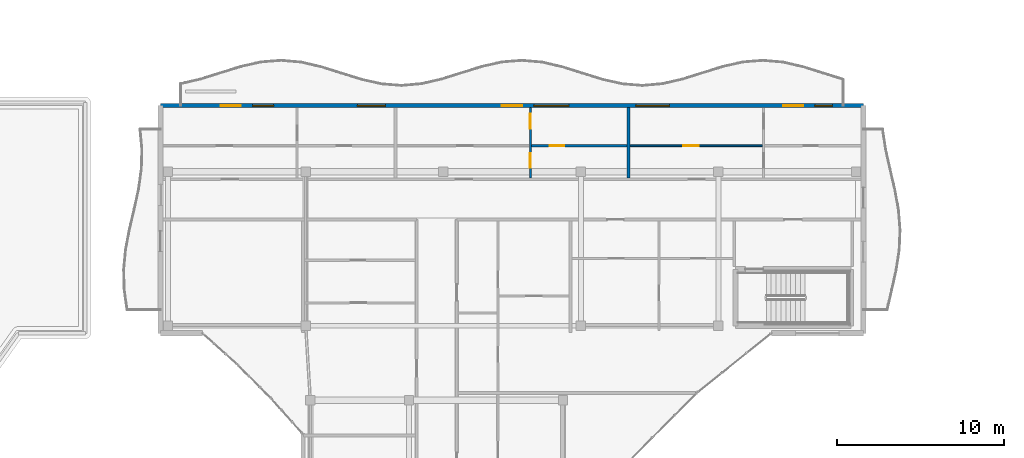
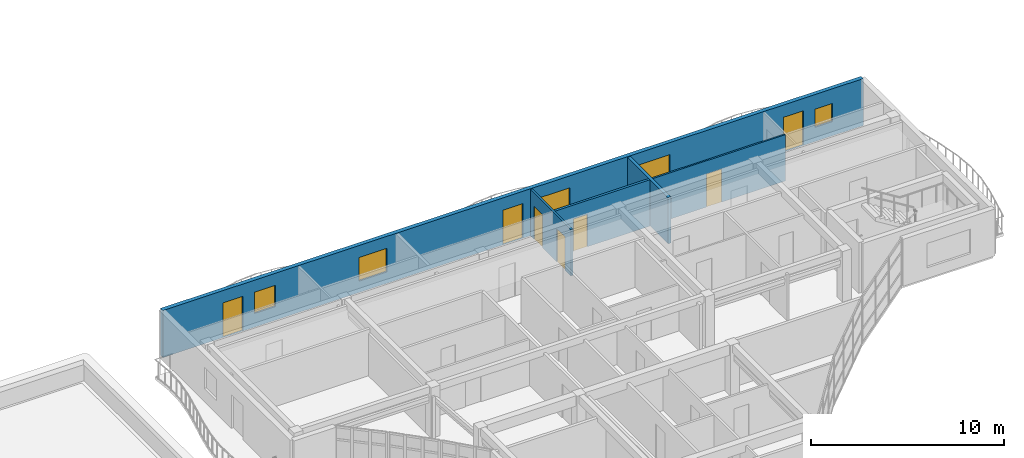
# One storey, part 29 of 54: 7 doors, 5 walls, 5 windows, 12 openings.
"""IFC4 building model written with IfcOpenShell, lengths in metres."""

from ifc_helpers import new_model, si_unit, direction, frame, frame_2d, origin, place, context, subcontext, project, spatial, rectangle, extrude, material, layer, layer_set, type_object, element, fill, save


model = new_model("IFC4")

# Units and contexts
model_context = context("Model", 3, precision=1e-05, world=origin(), true_north=direction((0.0, 1.0)))
body_context = subcontext(model_context, "Body", "Model", "MODEL_VIEW")
ifc_project = project(units=[si_unit("LENGTHUNIT", "METRE"), si_unit("AREAUNIT", "SQUARE_METRE"), si_unit("VOLUMEUNIT", "CUBIC_METRE"), si_unit("PLANEANGLEUNIT", "RADIAN"), si_unit("MASSUNIT", "GRAM", prefix="KILO")], contexts=[model_context])

# Site, building, storey
site_placement = place(None, origin())
site = spatial("IfcSite", under=ifc_project, at=site_placement, CompositionType="ELEMENT")
building_placement = place(site_placement, origin())
building = spatial("IfcBuilding", under=site, at=building_placement, Name="Keldmere Railside Commons", CompositionType="ELEMENT")
storey_placement = place(building_placement, frame((0.0, 0.0, 26.56005859375)))
storey = spatial("IfcBuildingStorey", under=building, at=storey_placement, Name="L08", CompositionType="ELEMENT", Elevation=26.56005859375)

# Wall
ifc_material_1 = material(Name="Acoustic Gypsum Board Partition", Category="gypsum")
ifc_layer_1 = layer(ifc_material_1, 0.179931640625, Name="Acoustic Demising Partition 180")
ifc_layer_set_1 = layer_set([ifc_layer_1], Name="Acoustic Gypsum Board Partition")
wall_type_1 = type_object("IfcWallType", Name="Acoustic Demising Partition 180", PredefinedType="PARTITIONING", material=ifc_layer_set_1)
wall_1_placement = place(storey_placement, frame((67.449951171875, 109.280029296875, 0.0), z_axis=(0.0, 0.0, 1.0), x_axis=(0.0, 1.0, 0.0)))
element("IfcWall", 1, at=wall_1_placement, inside=storey, type_object=wall_type_1, Name="IW-1 IW-L08-0838", PredefinedType="PARTITIONING", context=body_context, shape_type="SweptSolid", body=[
    extrude(rectangle(XDim=4.199951171875, YDim=0.179931640625, at=frame_2d((2.10009765625, 0.0))), origin(), (0.0, 0.0, 1.0), 2.93505859375),
])

# Wall, openings, doors
ifc_layer_2 = layer(ifc_material_1, 0.1201171875, Name="Apartment Interior Partition 120")
ifc_layer_set_2 = layer_set([ifc_layer_2], Name="Acoustic Gypsum Board Partition")
wall_type_2 = type_object("IfcWallType", Name="Apartment Interior Partition 120", PredefinedType="PARTITIONING", material=ifc_layer_set_2)
wall_2_placement = place(storey_placement, frame((61.60009765625, 109.280029296875, 0.0), z_axis=(0.0, 0.0, 1.0), x_axis=(0.0, 1.0, 0.0)))
wall_2 = element("IfcWall", 2, at=wall_2_placement, inside=storey, type_object=wall_type_2, Name="IW-4 IW-L08-0842", PredefinedType="PARTITIONING", context=body_context, shape_type="SweptSolid", body=[
    extrude(rectangle(XDim=4.199951171875, YDim=0.1201171875, at=frame_2d((2.10009765625, 0.0))), origin(), (0.0, 0.0, 1.0), 2.93505859375),
])
opening_1_placement = place(wall_2_placement, frame((0.61767578125, 0.0, 0.0)))
opening_1 = element("IfcOpeningElement", 3, at=opening_1_placement, cuts=wall_2, Name="Opening ID-04", PredefinedType="OPENING", context=body_context, shape_type="SweptSolid", body=[
    extrude(rectangle(XDim=0.860107421875, YDim=2.10009765625, at=frame_2d((0.43017578125, 1.050048828125))), frame((0.0, 0.070068359375, 0.0), z_axis=(0.0, -1.0, 0.0), x_axis=(1.0, 0.0, 0.0)), (0.0, 0.0, 1.0), 0.14013671875),
])
opening_2_placement = place(wall_2_placement, frame((2.951416015625, 0.0, 0.0)))
opening_2 = element("IfcOpeningElement", 4, at=opening_2_placement, cuts=wall_2, Name="Opening ID-01", PredefinedType="OPENING", context=body_context, shape_type="SweptSolid", body=[
    extrude(rectangle(XDim=0.89990234375, YDim=2.10009765625, at=frame_2d((0.449951171875, 1.050048828125))), frame((0.0, 0.070068359375, 0.0), z_axis=(0.0, -1.0, 0.0), x_axis=(1.0, 0.0, 0.0)), (0.0, 0.0, 1.0), 0.14013671875),
])
ifc_material_2 = material(Name="Engineered Oak Timber", Category="wood")
door_type_1 = type_object("IfcDoorType", Name="Apartment Bathroom Door 860x2100", OperationType="NOTDEFINED", PredefinedType="DOOR", material=ifc_material_2)
door_1_placement = place(opening_1_placement, origin())
door_1 = element("IfcDoor", 5, at=door_1_placement, inside=storey, type_object=door_type_1, Name="ID-04 IDR-L08-0723", OperationType="SINGLE_SWING_LEFT", OverallHeight=2.10009765625, OverallWidth=0.860107421875, PredefinedType="DOOR", context=body_context, shape_type="SweptSolid", body=[
    extrude(rectangle(XDim=0.860107421875, YDim=2.10009765625, at=frame_2d((0.43017578125, 1.050048828125))), frame((0.0, 0.02490234375, 0.0), z_axis=(0.0, -1.0, 0.0), x_axis=(1.0, 0.0, 0.0)), (0.0, 0.0, 1.0), 0.050048828125),
])
fill(opening_1, door_1)
door_type_2 = type_object("IfcDoorType", Name="Primary Bedroom Door 900x2100", OperationType="NOTDEFINED", PredefinedType="DOOR", material=ifc_material_2)
door_2_placement = place(opening_2_placement, origin())
door_2 = element("IfcDoor", 6, at=door_2_placement, inside=storey, type_object=door_type_2, Name="ID-01 IDR-L08-0724", OperationType="SINGLE_SWING_RIGHT", OverallHeight=2.10009765625, OverallWidth=0.89990234375, PredefinedType="DOOR", context=body_context, shape_type="SweptSolid", body=[
    extrude(rectangle(XDim=0.89990234375, YDim=2.10009765625, at=frame_2d((0.449951171875, 1.050048828125))), frame((0.0, 0.02490234375, 0.0), z_axis=(0.0, -1.0, 0.0), x_axis=(1.0, 0.0, 0.0)), (0.0, 0.0, 1.0), 0.050048828125),
])
fill(opening_2, door_2)

# Wall, opening, door
ifc_layer_3 = layer(ifc_material_1, 0.10009765625, Name="Closet Light Partition 100")
ifc_layer_set_3 = layer_set([ifc_layer_3], Name="Acoustic Gypsum Board Partition")
wall_type_3 = type_object("IfcWallType", Name="Closet Light Partition 100", PredefinedType="PARTITIONING", material=ifc_layer_set_3)
wall_3_placement = place(storey_placement, frame((67.5400390625, 111.2099609375, 0.0), z_axis=(0.0, 0.0, 1.0), x_axis=(1.0, 0.0, 0.0)))
wall_3 = element("IfcWall", 7, at=wall_3_placement, inside=storey, type_object=wall_type_3, Name="IW-6 IW-L08-0847", PredefinedType="PARTITIONING", context=body_context, shape_type="SweptSolid", body=[
    extrude(rectangle(XDim=7.93994140625, YDim=0.10009765625, at=frame_2d((3.969970703125, 0.0))), origin(), (0.0, 0.0, 1.0), 2.93505859375),
])
opening_3_placement = place(wall_3_placement, frame((3.199951171875, 0.0, 0.0)))
opening_3 = element("IfcOpeningElement", 8, at=opening_3_placement, cuts=wall_3, Name="Opening ID-03", PredefinedType="OPENING", context=body_context, shape_type="SweptSolid", body=[
    extrude(rectangle(XDim=0.919921875, YDim=2.10009765625, at=frame_2d((0.4599609375, 1.050048828125))), frame((0.0, 0.06005859375, 0.0), z_axis=(0.0, -1.0, 0.0), x_axis=(1.0, 0.0, 0.0)), (0.0, 0.0, 1.0), 0.1201171875),
])
door_type_3 = type_object("IfcDoorType", Name="Kitchen Pocket-Frame Swing Door 920x2100", OperationType="NOTDEFINED", PredefinedType="DOOR", material=ifc_material_2)
door_3_placement = place(opening_3_placement, origin())
door_3 = element("IfcDoor", 9, at=door_3_placement, inside=storey, type_object=door_type_3, Name="ID-03 IDR-L08-0727", OperationType="SINGLE_SWING_LEFT", OverallHeight=2.10009765625, OverallWidth=0.919921875, PredefinedType="DOOR", context=body_context, shape_type="SweptSolid", body=[
    extrude(rectangle(XDim=0.919921875, YDim=2.10009765625, at=frame_2d((0.4599609375, 1.050048828125))), frame((0.0, 0.02490234375, 0.0), z_axis=(0.0, -1.0, 0.0), x_axis=(1.0, 0.0, 0.0)), (0.0, 0.0, 1.0), 0.050048828125),
])
fill(opening_3, door_3)

# Wall, openings, windows, doors
ifc_material_3 = material(Name="Architectural Precast Concrete H-35 (C35/45)", Category="concrete")
ifc_layer_4 = layer(ifc_material_3, 0.239990234375, Name="Sand-Ochre Precast Cavity Wall 240")
ifc_layer_set_4 = layer_set([ifc_layer_4], Name="Architectural Precast Concrete H-35 (C35/45)")
wall_type_4 = type_object("IfcWallType", Name="Sand-Ochre Precast Cavity Wall 240", PredefinedType="SOLIDWALL", material=ifc_layer_set_4)
wall_4_placement = place(storey_placement, frame((39.5, 113.60009765625, 0.0), z_axis=(0.0, 0.0, 1.0), x_axis=(1.0, 0.0, 0.0)))
wall_4 = element("IfcWall", 10, at=wall_4_placement, inside=storey, type_object=wall_type_4, Name="EW-2 EXTC-L08-0392", PredefinedType="SOLIDWALL", context=body_context, shape_type="SweptSolid", body=[
    extrude(rectangle(XDim=42.0, YDim=0.239990234375, at=frame_2d((21.0, 0.0))), origin(), (0.0, 0.0, 1.0), 2.97998046875),
])
opening_4_placement = place(wall_4_placement, frame((3.60009765625, 0.0, 0.0)))
opening_4 = element("IfcOpeningElement", 11, at=opening_4_placement, cuts=wall_4, Name="Opening BD-01", PredefinedType="OPENING", context=body_context, shape_type="SweptSolid", body=[
    extrude(rectangle(XDim=1.199951171875, YDim=2.199951171875, at=frame_2d((0.60009765625, 1.10009765625))), frame((0.0, 0.1298828125, 0.0), z_axis=(0.0, -1.0, 0.0), x_axis=(1.0, 0.0, 0.0)), (0.0, 0.0, 1.0), 0.260009765625),
])
opening_5_placement = place(wall_4_placement, frame((5.5, 0.0, 0.8701171875)))
opening_5 = element("IfcOpeningElement", 12, at=opening_5_placement, cuts=wall_4, Name="Opening WN-09", PredefinedType="OPENING", context=body_context, shape_type="SweptSolid", body=[
    extrude(rectangle(XDim=1.25, YDim=1.35009765625, at=frame_2d((0.625, 0.675048828125))), frame((0.0, 0.1298828125, 0.0), z_axis=(0.0, -1.0, 0.0), x_axis=(1.0, 0.0, 0.0)), (0.0, 0.0, 1.0), 0.260009765625),
])
opening_6_placement = place(wall_4_placement, frame((11.760009765625, 0.0, 0.719970703125)))
opening_6 = element("IfcOpeningElement", 13, at=opening_6_placement, cuts=wall_4, Name="Opening WN-40", PredefinedType="OPENING", context=body_context, shape_type="SweptSolid", body=[
    extrude(rectangle(XDim=1.679931640625, YDim=1.5, at=frame_2d((0.83984375, 0.75))), frame((0.0, 0.1298828125, 0.0), z_axis=(0.0, -1.0, 0.0), x_axis=(1.0, 0.0, 0.0)), (0.0, 0.0, 1.0), 0.260009765625),
])
opening_7_placement = place(wall_4_placement, frame((20.39990234375, 0.0, 0.0)))
opening_7 = element("IfcOpeningElement", 14, at=opening_7_placement, cuts=wall_4, Name="Opening BD-01", PredefinedType="OPENING", context=body_context, shape_type="SweptSolid", body=[
    extrude(rectangle(XDim=1.199951171875, YDim=2.199951171875, at=frame_2d((0.60009765625, 1.10009765625))), frame((0.0, 0.1298828125, 0.0), z_axis=(0.0, -1.0, 0.0), x_axis=(1.0, 0.0, 0.0)), (0.0, 0.0, 1.0), 0.260009765625),
])
opening_8_placement = place(wall_4_placement, frame((22.300048828125, 0.0, 0.669921875)))
opening_8 = element("IfcOpeningElement", 15, at=opening_8_placement, cuts=wall_4, Name="Opening WN-11", PredefinedType="OPENING", context=body_context, shape_type="SweptSolid", body=[
    extrude(rectangle(XDim=2.10009765625, YDim=1.550048828125, at=frame_2d((1.050048828125, 0.77490234375))), frame((0.0, 0.1298828125, 0.0), z_axis=(0.0, -1.0, 0.0), x_axis=(1.0, 0.0, 0.0)), (0.0, 0.0, 1.0), 0.260009765625),
])
opening_9_placement = place(wall_4_placement, frame((28.39990234375, 0.0, 0.719970703125)))
opening_9 = element("IfcOpeningElement", 16, at=opening_9_placement, cuts=wall_4, Name="Opening WN-02", PredefinedType="OPENING", context=body_context, shape_type="SweptSolid", body=[
    extrude(rectangle(XDim=2.0, YDim=1.5, at=frame_2d((1.0, 0.75))), frame((0.0, 0.1298828125, 0.0), z_axis=(0.0, -1.0, 0.0), x_axis=(1.0, 0.0, 0.0)), (0.0, 0.0, 1.0), 0.260009765625),
])
opening_10_placement = place(wall_4_placement, frame((37.199951171875, 0.0, 0.0)))
opening_10 = element("IfcOpeningElement", 17, at=opening_10_placement, cuts=wall_4, Name="Opening BD-01", PredefinedType="OPENING", context=body_context, shape_type="SweptSolid", body=[
    extrude(rectangle(XDim=1.199951171875, YDim=2.199951171875, at=frame_2d((0.60009765625, 1.10009765625))), frame((0.0, 0.1298828125, 0.0), z_axis=(0.0, -1.0, 0.0), x_axis=(1.0, 0.0, 0.0)), (0.0, 0.0, 1.0), 0.260009765625),
])
opening_11_placement = place(wall_4_placement, frame((39.10009765625, 0.0, 0.89990234375)))
opening_11 = element("IfcOpeningElement", 18, at=opening_11_placement, cuts=wall_4, Name="Opening WN-13", PredefinedType="OPENING", context=body_context, shape_type="SweptSolid", body=[
    extrude(rectangle(XDim=1.050048828125, YDim=1.14990234375, at=frame_2d((0.52490234375, 0.574951171875))), frame((0.0, 0.1298828125, 0.0), z_axis=(0.0, -1.0, 0.0), x_axis=(1.0, 0.0, 0.0)), (0.0, 0.0, 1.0), 0.260009765625),
])
ifc_material_4 = material(Name="Low-E Insulated Double Glazing", Category="glass")
window_type_1 = type_object("IfcWindowType", Name="Apartment Kitchen Casement Window 1050x1150", PartitioningType="SINGLE_PANEL", PredefinedType="WINDOW", material=ifc_material_4)
window_1_placement = place(opening_11_placement, origin())
window_1 = element("IfcWindow", 19, at=window_1_placement, inside=storey, type_object=window_type_1, Name="WN-13 WIN-L08-0316", OverallHeight=1.14990234375, OverallWidth=1.050048828125, PartitioningType="SINGLE_PANEL", PredefinedType="WINDOW", context=body_context, shape_type="SweptSolid", body=[
    extrude(rectangle(XDim=1.050048828125, YDim=1.14990234375, at=frame_2d((0.52490234375, 0.574951171875))), frame((0.0, 0.030029296875, 0.0), z_axis=(0.0, -1.0, 0.0), x_axis=(1.0, 0.0, 0.0)), (0.0, 0.0, 1.0), 0.06005859375),
])
fill(opening_11, window_1)
ifc_material_5 = material(Name="Thermally Broken Aluminium", Category="aluminium")
door_type_4 = type_object("IfcDoorType", Name="Apartment Living Wave-Balcony Glazed Door 1200x2200", OperationType="NOTDEFINED", PredefinedType="DOOR", material=ifc_material_5)
door_4_placement = place(opening_4_placement, origin())
door_4 = element("IfcDoor", 20, at=door_4_placement, inside=storey, type_object=door_type_4, Name="BD-01 DR-L08-0110", OperationType="SINGLE_SWING_RIGHT", OverallHeight=2.199951171875, OverallWidth=1.199951171875, PredefinedType="DOOR", context=body_context, shape_type="SweptSolid", body=[
    extrude(rectangle(XDim=1.199951171875, YDim=2.199951171875, at=frame_2d((0.60009765625, 1.10009765625))), frame((0.0, 0.02490234375, 0.0), z_axis=(0.0, -1.0, 0.0), x_axis=(1.0, 0.0, 0.0)), (0.0, 0.0, 1.0), 0.050048828125),
])
fill(opening_4, door_4)
door_5_placement = place(opening_7_placement, origin())
door_5 = element("IfcDoor", 21, at=door_5_placement, inside=storey, type_object=door_type_4, Name="BD-01 DR-L08-0111", OperationType="SINGLE_SWING_LEFT", OverallHeight=2.199951171875, OverallWidth=1.199951171875, PredefinedType="DOOR", context=body_context, shape_type="SweptSolid", body=[
    extrude(rectangle(XDim=1.199951171875, YDim=2.199951171875, at=frame_2d((0.60009765625, 1.10009765625))), frame((0.0, 0.02490234375, 0.0), z_axis=(0.0, -1.0, 0.0), x_axis=(1.0, 0.0, 0.0)), (0.0, 0.0, 1.0), 0.050048828125),
])
fill(opening_7, door_5)
door_6_placement = place(opening_10_placement, origin())
door_6 = element("IfcDoor", 22, at=door_6_placement, inside=storey, type_object=door_type_4, Name="BD-01 DR-L08-0112", OperationType="SINGLE_SWING_RIGHT", OverallHeight=2.199951171875, OverallWidth=1.199951171875, PredefinedType="DOOR", context=body_context, shape_type="SweptSolid", body=[
    extrude(rectangle(XDim=1.199951171875, YDim=2.199951171875, at=frame_2d((0.60009765625, 1.10009765625))), frame((0.0, 0.02490234375, 0.0), z_axis=(0.0, -1.0, 0.0), x_axis=(1.0, 0.0, 0.0)), (0.0, 0.0, 1.0), 0.050048828125),
])
fill(opening_10, door_6)
window_type_2 = type_object("IfcWindowType", Name="Living Room South Casement Window 2000x1500", PartitioningType="SINGLE_PANEL", PredefinedType="WINDOW", material=ifc_material_4)
window_2_placement = place(opening_9_placement, origin())
window_2 = element("IfcWindow", 23, at=window_2_placement, inside=storey, type_object=window_type_2, Name="WN-02 WIN-L08-0315", OverallHeight=1.5, OverallWidth=2.0, PartitioningType="SINGLE_PANEL", PredefinedType="WINDOW", context=body_context, shape_type="SweptSolid", body=[
    extrude(rectangle(XDim=2.0, YDim=1.5, at=frame_2d((1.0, 0.75))), frame((0.0, 0.030029296875, 0.0), z_axis=(0.0, -1.0, 0.0), x_axis=(1.0, 0.0, 0.0)), (0.0, 0.0, 1.0), 0.06005859375),
])
fill(opening_9, window_2)
window_type_3 = type_object("IfcWindowType", Name="Secondary Bedroom Window 1250x1350", PartitioningType="SINGLE_PANEL", PredefinedType="WINDOW", material=ifc_material_4)
window_3_placement = place(opening_5_placement, origin())
window_3 = element("IfcWindow", 24, at=window_3_placement, inside=storey, type_object=window_type_3, Name="WN-09 WIN-L08-0312", OverallHeight=1.35009765625, OverallWidth=1.25, PartitioningType="SINGLE_PANEL", PredefinedType="WINDOW", context=body_context, shape_type="SweptSolid", body=[
    extrude(rectangle(XDim=1.25, YDim=1.35009765625, at=frame_2d((0.625, 0.675048828125))), frame((0.0, 0.030029296875, 0.0), z_axis=(0.0, -1.0, 0.0), x_axis=(1.0, 0.0, 0.0)), (0.0, 0.0, 1.0), 0.06005859375),
])
fill(opening_5, window_3)
window_type_4 = type_object("IfcWindowType", Name="Studio Wide Casement Window 2100x1550", PartitioningType="SINGLE_PANEL", PredefinedType="WINDOW", material=ifc_material_4)
window_4_placement = place(opening_8_placement, origin())
window_4 = element("IfcWindow", 25, at=window_4_placement, inside=storey, type_object=window_type_4, Name="WN-11 WIN-L08-0314", OverallHeight=1.550048828125, OverallWidth=2.10009765625, PartitioningType="SINGLE_PANEL", PredefinedType="WINDOW", context=body_context, shape_type="SweptSolid", body=[
    extrude(rectangle(XDim=2.10009765625, YDim=1.550048828125, at=frame_2d((1.050048828125, 0.77490234375))), frame((0.0, 0.030029296875, 0.0), z_axis=(0.0, -1.0, 0.0), x_axis=(1.0, 0.0, 0.0)), (0.0, 0.0, 1.0), 0.06005859375),
])
fill(opening_8, window_4)
window_type_5 = type_object("IfcWindowType", Name="Two-Bed Dining Casement Window 1680x1500", PartitioningType="SINGLE_PANEL", PredefinedType="WINDOW", material=ifc_material_4)
window_5_placement = place(opening_6_placement, origin())
window_5 = element("IfcWindow", 26, at=window_5_placement, inside=storey, type_object=window_type_5, Name="WN-40 WIN-L08-0313", OverallHeight=1.5, OverallWidth=1.679931640625, PartitioningType="SINGLE_PANEL", PredefinedType="WINDOW", context=body_context, shape_type="SweptSolid", body=[
    extrude(rectangle(XDim=1.679931640625, YDim=1.5, at=frame_2d((0.83984375, 0.75))), frame((0.0, 0.030029296875, 0.0), z_axis=(0.0, -1.0, 0.0), x_axis=(1.0, 0.0, 0.0)), (0.0, 0.0, 1.0), 0.06005859375),
])
fill(opening_6, window_5)

# Wall, opening, door
ifc_layer_5 = layer(ifc_material_1, 0.139892578125, Name="Wet-Room Sanitary Partition 140")
ifc_layer_set_5 = layer_set([ifc_layer_5], Name="Acoustic Gypsum Board Partition")
wall_type_5 = type_object("IfcWallType", Name="Wet-Room Sanitary Partition 140", PredefinedType="PARTITIONING", material=ifc_layer_set_5)
wall_5_placement = place(storey_placement, frame((61.659912109375, 111.2099609375, 0.0), z_axis=(0.0, 0.0, 1.0), x_axis=(1.0, 0.0, 0.0)))
wall_5 = element("IfcWall", 27, at=wall_5_placement, inside=storey, type_object=wall_type_5, Name="IW-5 IW-L08-0843", PredefinedType="PARTITIONING", context=body_context, shape_type="SweptSolid", body=[
    extrude(rectangle(XDim=5.7001953125, YDim=0.139892578125, at=frame_2d((2.85009765625, 0.0))), origin(), (0.0, 0.0, 1.0), 2.93505859375),
])
opening_12_placement = place(wall_5_placement, frame((1.10400390625, 0.0, 0.0)))
opening_12 = element("IfcOpeningElement", 28, at=opening_12_placement, cuts=wall_5, Name="Opening ID-06", PredefinedType="OPENING", context=body_context, shape_type="SweptSolid", body=[
    extrude(rectangle(XDim=0.85009765625, YDim=2.050048828125, at=frame_2d((0.425048828125, 1.02490234375))), frame((0.0, 0.079833984375, 0.0), z_axis=(0.0, -1.0, 0.0), x_axis=(1.0, 0.0, 0.0)), (0.0, 0.0, 1.0), 0.159912109375),
])
door_type_5 = type_object("IfcDoorType", Name="Storage Closet Door 850x2050", OperationType="NOTDEFINED", PredefinedType="DOOR", material=ifc_material_2)
door_7_placement = place(opening_12_placement, origin())
door_7 = element("IfcDoor", 29, at=door_7_placement, inside=storey, type_object=door_type_5, Name="ID-06 IDR-L08-0725", OperationType="SINGLE_SWING_LEFT", OverallHeight=2.050048828125, OverallWidth=0.85009765625, PredefinedType="DOOR", context=body_context, shape_type="SweptSolid", body=[
    extrude(rectangle(XDim=0.85009765625, YDim=2.050048828125, at=frame_2d((0.425048828125, 1.02490234375))), frame((0.0, 0.02490234375, 0.0), z_axis=(0.0, -1.0, 0.0), x_axis=(1.0, 0.0, 0.0)), (0.0, 0.0, 1.0), 0.050048828125),
])
fill(opening_12, door_7)

save(model, "model.ifc")
